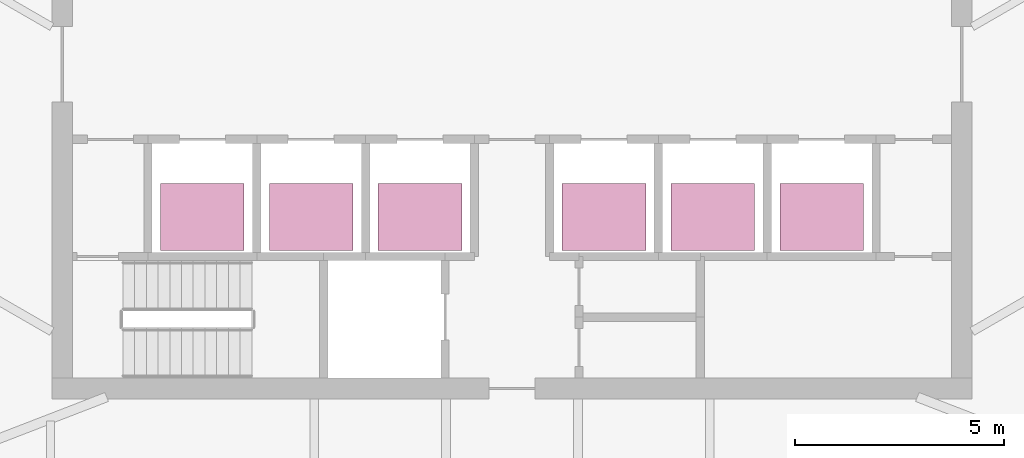
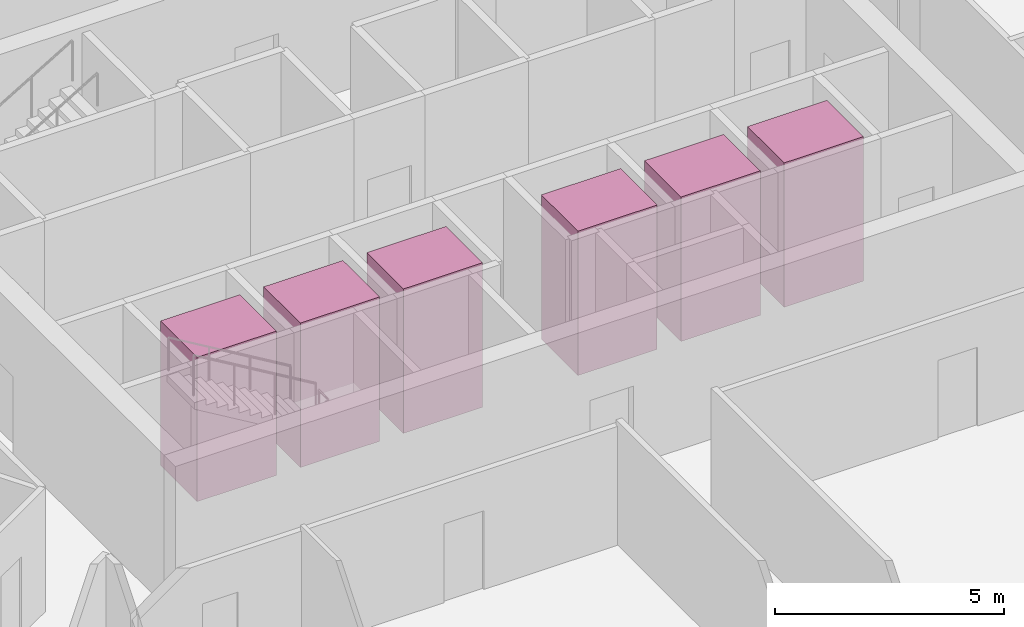
# One storey, part 20 of 20: 6 transport elements.
"""IFC4 building model written with IfcOpenShell, lengths in metres."""

from ifc_helpers import new_model, si_unit, direction, frame, origin, origin_2d, place, context, subcontext, project, spatial, rectangle, extrude, material, type_object, element, save


model = new_model("IFC4")

# Units and contexts
model_context = context("Model", 3, precision=1e-05, world=origin(), true_north=direction((0.0, 1.0)))
body_context = subcontext(model_context, "Body", "Model", "MODEL_VIEW")
ifc_project = project(units=[si_unit("LENGTHUNIT", "METRE"), si_unit("AREAUNIT", "SQUARE_METRE"), si_unit("VOLUMEUNIT", "CUBIC_METRE"), si_unit("PLANEANGLEUNIT", "RADIAN"), si_unit("MASSUNIT", "GRAM", prefix="KILO")], contexts=[model_context])

# Site, building, storey
site_placement = place(None, origin())
site = spatial("IfcSite", under=ifc_project, at=site_placement, CompositionType="ELEMENT")
building_placement = place(site_placement, origin())
building = spatial("IfcBuilding", under=site, at=building_placement, Name="Sierra Prisma Convention Tower", CompositionType="ELEMENT")
storey_placement = place(building_placement, frame((0.0, 0.0, 239.0)))
storey = spatial("IfcBuildingStorey", under=building, at=storey_placement, Name="L53", CompositionType="ELEMENT", Elevation=239.0)

# Transport elements
ifc_material = material(Name="Stainless steel", Category="steel")
transport_element_type = type_object("IfcTransportElementType", Name="Lift car office high 2000x1600 1600 kg", PredefinedType="ELEVATOR", material=ifc_material)
for number, where, z_axis, x_axis, name in (
    (1, (-7.39990234375, -3.64990234375, 0.0), (0.0, 0.0, 1.0), (1.0, 0.0, 0.0), "Lift OH1"),
    (2, (-4.800048828125, -3.64990234375, 0.0), (0.0, 0.0, 1.0), (1.0, 0.0, 0.0), "Lift OH2"),
    (3, (-2.199951171875, -3.64990234375, 0.0), (0.0, 0.0, 1.0), (1.0, 0.0, 0.0), "Lift OH3"),
    (4, (2.199951171875, -3.64990234375, 0.0), (0.0, 0.0, 1.0), (1.0, 0.0, 0.0), "Lift OH4"),
    (5, (4.800048828125, -3.64990234375, 0.0), (0.0, 0.0, 1.0), (1.0, 0.0, 0.0), "Lift OH5"),
    (6, (7.39990234375, -3.64990234375, 0.0), (0.0, 0.0, 1.0), (1.0, 0.0, 0.0), "Lift OH6"),
):
    element("IfcTransportElement", number, at=place(storey_placement, frame(where, z_axis=z_axis, x_axis=x_axis)), inside=storey, type_object=transport_element_type, Name=name, PredefinedType="ELEVATOR", context=body_context, shape_type="SweptSolid", body=[
        extrude(rectangle(XDim=2.0, YDim=1.60009765625, at=origin_2d()), origin(), (0.0, 0.0, 1.0), 3.85009765625),
    ])

save(model, "model.ifc")
